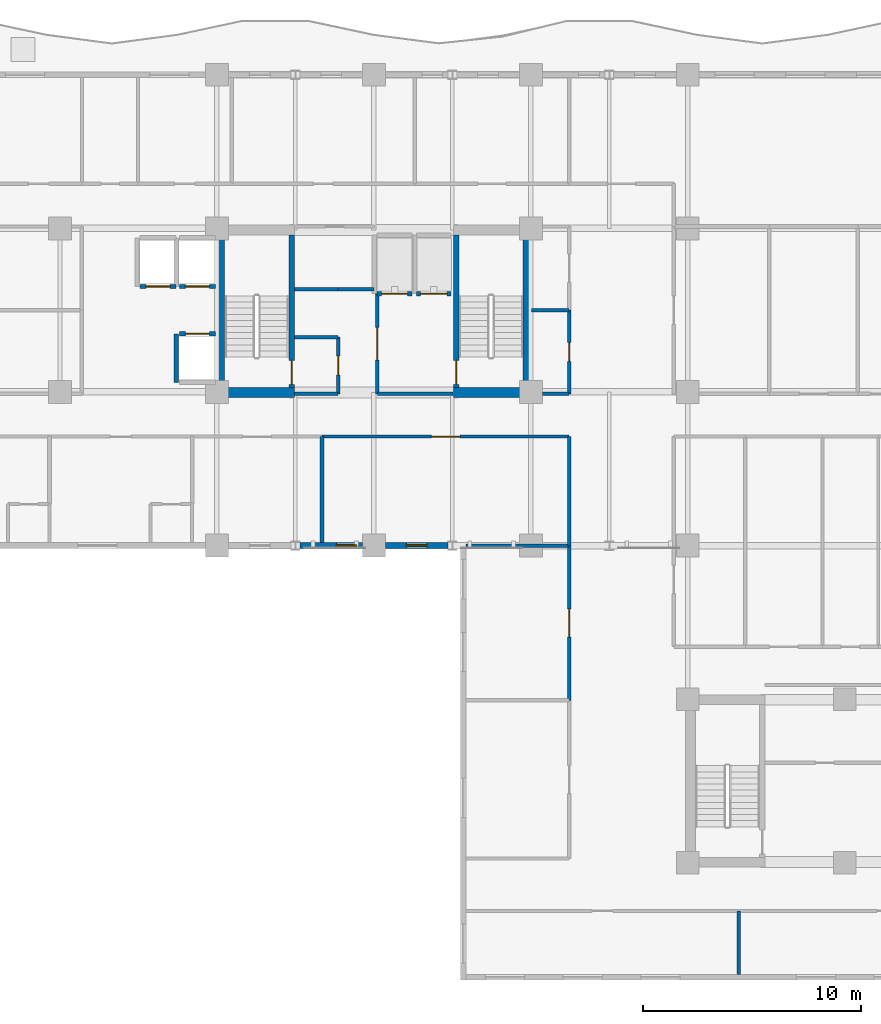
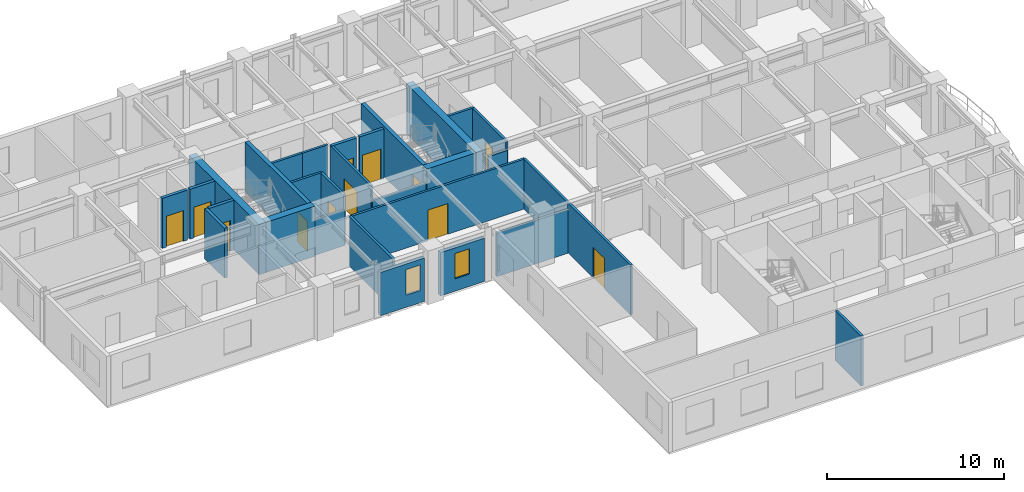
# One storey, part 5 of 14: 30 walls, 12 doors, 2 windows, 14 openings.
"""IFC4 building model written with IfcOpenShell, lengths in metres."""

from ifc_helpers import new_model, si_unit, direction, frame, frame_2d, origin, place, context, subcontext, project, spatial, rectangle, extrude, material, layer, layer_set, type_object, element, fill, save


model = new_model("IFC4")

# Units and contexts
model_context = context("Model", 3, precision=1e-05, world=origin(), true_north=direction((0.0, 1.0)))
body_context = subcontext(model_context, "Body", "Model", "MODEL_VIEW")
ifc_project = project(units=[si_unit("LENGTHUNIT", "METRE"), si_unit("AREAUNIT", "SQUARE_METRE"), si_unit("VOLUMEUNIT", "CUBIC_METRE"), si_unit("PLANEANGLEUNIT", "RADIAN"), si_unit("MASSUNIT", "GRAM", prefix="KILO")], contexts=[model_context])

# Site, building, storey
site_placement = place(None, origin())
site = spatial("IfcSite", under=ifc_project, at=site_placement, CompositionType="ELEMENT")
building_placement = place(site_placement, origin())
building = spatial("IfcBuilding", under=site, at=building_placement, Name="Kaliganga Portal Commons", CompositionType="ELEMENT")
storey_placement = place(building_placement, frame((0.0, 0.0, 151.300048828125)))
storey = spatial("IfcBuildingStorey", under=building, at=storey_placement, Name="L38", CompositionType="ELEMENT", Elevation=151.300048828125)

# Walls
ifc_material_1 = material(Name="Concrete C60/75", Category="concrete")
ifc_layer_1 = layer(ifc_material_1, 0.449951171875)
ifc_layer_set_1 = layer_set([ifc_layer_1], Name="Concrete C60/75")
wall_type_1 = type_object("IfcWallType", Name="WL-CORE-450", PredefinedType="SHEAR", material=ifc_layer_set_1)
for number, where, z_axis, x_axis, name in (
    (1, (14.52490234375, 28.39990234375, 0.0), (0.0, 0.0, 1.0), (0.0, 1.0, 0.0), "Core A West Shear Wall L38"),
    (2, (28.675048828125, 28.39990234375, 0.0), (0.0, 0.0, 1.0), (0.0, 1.0, 0.0), "Core A East Shear Wall L38"),
):
    element("IfcWall", number, at=place(storey_placement, frame(where, z_axis=z_axis, x_axis=x_axis)), inside=storey, type_object=wall_type_1, Name=name, PredefinedType="SHEAR", context=body_context, shape_type="SweptSolid", body=[
        extrude(rectangle(XDim=7.900146484375, YDim=0.449951171875, at=frame_2d((3.9501953125, 0.0))), origin(), (0.0, 0.0, 1.0), 3.4599609375),
    ])
for number, where, z_axis, x_axis, name in (
    (3, (14.75, 28.625, 0.0), (0.0, 0.0, 1.0), (1.0, 0.0, 0.0), "Core A S-West Shear Wall L38"),
    (4, (25.25, 28.625, 0.0), (0.0, 0.0, 1.0), (1.0, 0.0, 0.0), "Core A S-East Shear Wall L38"),
):
    element("IfcWall", number, at=place(storey_placement, frame(where, z_axis=z_axis, x_axis=x_axis)), inside=storey, type_object=wall_type_1, Name=name, PredefinedType="SHEAR", context=body_context, shape_type="SweptSolid", body=[
        extrude(rectangle(XDim=3.199951171875, YDim=0.449951171875, at=frame_2d((1.60009765625, 0.0))), origin(), (0.0, 0.0, 1.0), 3.4599609375),
    ])

# Wall, opening, window
ifc_material_2 = material(Name="Insulated Aluminium-Clad Spandrel Assembly", Category="aluminium")
ifc_layer_2 = layer(ifc_material_2, 0.260009765625)
ifc_layer_set_2 = layer_set([ifc_layer_2], Name="Insulated Aluminium-Clad Spandrel Assembly")
wall_type_2 = type_object("IfcWallType", Name="WL-EXT-SPAND-260", PredefinedType="STANDARD", material=ifc_layer_set_2)
wall_1_placement = place(storey_placement, frame((21.073974609375, 21.60009765625, 0.0), z_axis=(0.0, 0.0, 1.0), x_axis=(-1.0, 0.0, 0.0)))
wall_1 = element("IfcWall", 5, at=wall_1_placement, inside=storey, type_object=wall_type_2, Name="Exterior Envelope Wall L38 P1-E04-S3", PredefinedType="STANDARD", context=body_context, shape_type="SweptSolid", body=[
    extrude(rectangle(XDim=2.87109375, YDim=0.260009765625, at=frame_2d((1.435546875, 0.0))), origin(), (0.0, 0.0, 1.0), 2.989990234375),
])
opening_1_placement = place(wall_1_placement, frame((0.24853515625, 0.0, 0.85009765625)))
opening_1 = element("IfcOpeningElement", 6, at=opening_1_placement, cuts=wall_1, Name="Opening W-04", PredefinedType="OPENING", context=body_context, shape_type="SweptSolid", body=[
    extrude(rectangle(XDim=0.949951171875, YDim=1.75, at=frame_2d((0.47509765625, 0.875))), frame((0.0, 0.14013671875, 0.0), z_axis=(0.0, -1.0, 0.0), x_axis=(1.0, 0.0, 0.0)), (0.0, 0.0, 1.0), 0.280029296875),
])
ifc_material_3 = material(Name="Thermally Broken Aluminium and Low-E Double Glazing", Category="aluminium")
window_type = type_object("IfcWindowType", Name="WIN-NARROW-950", PartitioningType="SINGLE_PANEL", PredefinedType="WINDOW", material=ifc_material_3)
window_1_placement = place(opening_1_placement, origin())
window_1 = element("IfcWindow", 7, at=window_1_placement, inside=storey, type_object=window_type, Name="Facade Window L38-P1E04S3-N1", OverallHeight=1.75, OverallWidth=0.949951171875, PartitioningType="SINGLE_PANEL", PredefinedType="WINDOW", context=body_context, shape_type="SweptSolid", body=[
    extrude(rectangle(XDim=0.949951171875, YDim=1.75, at=frame_2d((0.47509765625, 0.875))), frame((0.0, 0.030029296875, 0.0), z_axis=(0.0, -1.0, 0.0), x_axis=(1.0, 0.0, 0.0)), (0.0, 0.0, 1.0), 0.06005859375),
])
fill(opening_1, window_1)

wall_2_placement = place(storey_placement, frame((24.9970703125, 21.60009765625, 0.0), z_axis=(0.0, 0.0, 1.0), x_axis=(-1.0, 0.0, 0.0)))
wall_2 = element("IfcWall", 8, at=wall_2_placement, inside=storey, type_object=wall_type_2, Name="Exterior Envelope Wall L38 P1-E04-S4", PredefinedType="STANDARD", context=body_context, shape_type="SweptSolid", body=[
    extrude(rectangle(XDim=2.87109375, YDim=0.260009765625, at=frame_2d((1.435546875, 0.0))), origin(), (0.0, 0.0, 1.0), 2.989990234375),
])
opening_2_placement = place(wall_2_placement, frame((0.96044921875, 0.0, 0.85009765625)))
opening_2 = element("IfcOpeningElement", 9, at=opening_2_placement, cuts=wall_2, Name="Opening W-04", PredefinedType="OPENING", context=body_context, shape_type="SweptSolid", body=[
    extrude(rectangle(XDim=0.949951171875, YDim=1.75, at=frame_2d((0.47509765625, 0.875))), frame((0.0, 0.14013671875, 0.0), z_axis=(0.0, -1.0, 0.0), x_axis=(1.0, 0.0, 0.0)), (0.0, 0.0, 1.0), 0.280029296875),
])
window_2_placement = place(opening_2_placement, origin())
window_2 = element("IfcWindow", 10, at=window_2_placement, inside=storey, type_object=window_type, Name="Facade Window L38-P1E04S4-00", OverallHeight=1.75, OverallWidth=0.949951171875, PartitioningType="SINGLE_PANEL", PredefinedType="WINDOW", context=body_context, shape_type="SweptSolid", body=[
    extrude(rectangle(XDim=0.949951171875, YDim=1.75, at=frame_2d((0.47509765625, 0.875))), frame((0.0, 0.030029296875, 0.0), z_axis=(0.0, -1.0, 0.0), x_axis=(1.0, 0.0, 0.0)), (0.0, 0.0, 1.0), 0.06005859375),
])
fill(opening_2, window_2)

# Wall, opening, door
ifc_material_4 = material(Name="Fire-Rated Gypsum Board on Steel Stud", Category="steel")
ifc_layer_3 = layer(ifc_material_4, 0.14990234375)
ifc_layer_set_3 = layer_set([ifc_layer_3], Name="Fire-Rated Gypsum Board on Steel Stud")
wall_type_3 = type_object("IfcWallType", Name="WL-PART-CORR-150", PredefinedType="PARTITIONING", material=ifc_layer_set_3)
wall_3_placement = place(storey_placement, frame((19.219970703125, 26.60009765625, 0.0), z_axis=(0.0, 0.0, 1.0), x_axis=(1.0, 0.0, 0.0)))
wall_3 = element("IfcWall", 11, at=wall_3_placement, inside=storey, type_object=wall_type_3, Name="Interior Partition L38-009", PredefinedType="PARTITIONING", context=body_context, shape_type="SweptSolid", body=[
    extrude(rectangle(XDim=11.340087890625, YDim=0.14990234375, at=frame_2d((5.669921875, 0.0))), origin(), (0.0, 0.0, 1.0), 3.43994140625),
])
opening_3_placement = place(wall_3_placement, frame((5.02001953125, 0.0, 0.0)))
opening_3 = element("IfcOpeningElement", 12, at=opening_3_placement, cuts=wall_3, Name="Opening RD-03", PredefinedType="OPENING", context=body_context, shape_type="SweptSolid", body=[
    extrude(rectangle(XDim=1.300048828125, YDim=2.1201171875, at=frame_2d((0.64990234375, 1.06005859375))), frame((0.0, 0.0849609375, 0.0), z_axis=(0.0, -1.0, 0.0), x_axis=(1.0, 0.0, 0.0)), (0.0, 0.0, 1.0), 0.169921875),
])
ifc_material_5 = material(Name="Glazed Timber Seminar Vision Door", Category="wood")
door_type_1 = type_object("IfcDoorType", Name="DR-STUDY-1300", OperationType="DOUBLE_DOOR_SINGLE_SWING", PredefinedType="DOOR", material=ifc_material_5)
door_1_placement = place(opening_3_placement, origin())
door_1 = element("IfcDoor", 13, at=door_1_placement, inside=storey, type_object=door_type_1, Name="Interior Door L38-AS04", OperationType="DOUBLE_DOOR_SINGLE_SWING", OverallHeight=2.1201171875, OverallWidth=1.300048828125, PredefinedType="DOOR", context=body_context, shape_type="SweptSolid", body=[
    extrude(rectangle(XDim=1.300048828125, YDim=2.1201171875, at=frame_2d((0.64990234375, 1.06005859375))), frame((0.0, 0.02490234375, 0.0), z_axis=(0.0, -1.0, 0.0), x_axis=(1.0, 0.0, 0.0)), (0.0, 0.0, 1.0), 0.050048828125),
])
fill(opening_3, door_1)

wall_4_placement = place(storey_placement, frame((30.56005859375, 14.5, 0.0), z_axis=(0.0, 0.0, 1.0), x_axis=(0.0, 1.0, 0.0)))
wall_4 = element("IfcWall", 14, at=wall_4_placement, inside=storey, type_object=wall_type_3, Name="Interior Partition L38-018", PredefinedType="PARTITIONING", context=body_context, shape_type="SweptSolid", body=[
    extrude(rectangle(XDim=7.10009765625, YDim=0.14990234375, at=frame_2d((3.550048828125, 0.0))), origin(), (0.0, 0.0, 1.0), 3.43994140625),
])
opening_4_placement = place(wall_4_placement, frame((2.89990234375, 0.0, 0.0)))
opening_4 = element("IfcOpeningElement", 15, at=opening_4_placement, cuts=wall_4, Name="Opening RD-03", PredefinedType="OPENING", context=body_context, shape_type="SweptSolid", body=[
    extrude(rectangle(XDim=1.300048828125, YDim=2.1201171875, at=frame_2d((0.64990234375, 1.06005859375))), frame((0.0, 0.0849609375, 0.0), z_axis=(0.0, -1.0, 0.0), x_axis=(1.0, 0.0, 0.0)), (0.0, 0.0, 1.0), 0.169921875),
])
door_2_placement = place(opening_4_placement, origin())
door_2 = element("IfcDoor", 16, at=door_2_placement, inside=storey, type_object=door_type_1, Name="Interior Door L38-KW02", OperationType="DOUBLE_DOOR_SINGLE_SWING", OverallHeight=2.1201171875, OverallWidth=1.300048828125, PredefinedType="DOOR", context=body_context, shape_type="SweptSolid", body=[
    extrude(rectangle(XDim=1.300048828125, YDim=2.1201171875, at=frame_2d((0.64990234375, 1.06005859375))), frame((0.0, 0.02490234375, 0.0), z_axis=(0.0, -1.0, 0.0), x_axis=(1.0, 0.0, 0.0)), (0.0, 0.0, 1.0), 0.050048828125),
])
fill(opening_4, door_2)

# Wall
wall_5_placement = place(storey_placement, frame((30.56005859375, 21.60009765625, 0.0), z_axis=(0.0, 0.0, 1.0), x_axis=(0.0, 1.0, 0.0)))
element("IfcWall", 17, at=wall_5_placement, inside=storey, type_object=wall_type_3, Name="Interior Partition L38-027", PredefinedType="PARTITIONING", context=body_context, shape_type="SweptSolid", body=[
    extrude(rectangle(XDim=5.0, YDim=0.14990234375, at=frame_2d((2.5, 0.0))), origin(), (0.0, 0.0, 1.0), 3.43994140625),
])

# Wall, opening, door
wall_6_placement = place(storey_placement, frame((30.56005859375, 28.56005859375, 0.0), z_axis=(0.0, 0.0, 1.0), x_axis=(0.0, 1.0, 0.0)))
wall_6 = element("IfcWall", 18, at=wall_6_placement, inside=storey, type_object=wall_type_3, Name="Interior Partition L38-041", PredefinedType="PARTITIONING", context=body_context, shape_type="SweptSolid", body=[
    extrude(rectangle(XDim=3.83984375, YDim=0.14990234375, at=frame_2d((1.919921875, 0.0))), origin(), (0.0, 0.0, 1.0), 3.43994140625),
])
opening_5_placement = place(wall_6_placement, frame((1.489990234375, 0.0, 0.0)))
opening_5 = element("IfcOpeningElement", 19, at=opening_5_placement, cuts=wall_6, Name="Opening WD-02", PredefinedType="OPENING", context=body_context, shape_type="SweptSolid", body=[
    extrude(rectangle(XDim=0.860107421875, YDim=2.02001953125, at=frame_2d((0.43017578125, 1.010009765625))), frame((0.0, 0.0849609375, 0.0), z_axis=(0.0, -1.0, 0.0), x_axis=(1.0, 0.0, 0.0)), (0.0, 0.0, 1.0), 0.169921875),
])
ifc_material_6 = material(Name="Fire-Rated Utility Closet Door", Category="wood")
door_type_2 = type_object("IfcDoorType", Name="DR-STORE-800", OperationType="NOTDEFINED", PredefinedType="DOOR", material=ifc_material_6)
door_3_placement = place(opening_5_placement, origin())
door_3 = element("IfcDoor", 20, at=door_3_placement, inside=storey, type_object=door_type_2, Name="Interior Door L38-CSRV_A1", OperationType="SINGLE_SWING_RIGHT", OverallHeight=2.02001953125, OverallWidth=0.860107421875, PredefinedType="DOOR", context=body_context, shape_type="SweptSolid", body=[
    extrude(rectangle(XDim=0.860107421875, YDim=2.02001953125, at=frame_2d((0.43017578125, 1.010009765625))), frame((0.0, 0.02490234375, 0.0), z_axis=(0.0, -1.0, 0.0), x_axis=(1.0, 0.0, 0.0)), (0.0, 0.0, 1.0), 0.050048828125),
])
fill(opening_5, door_3)

wall_7_placement = place(storey_placement, frame((19.9599609375, 28.56005859375, 0.0), z_axis=(0.0, 0.0, 1.0), x_axis=(0.0, 1.0, 0.0)))
wall_7 = element("IfcWall", 21, at=wall_7_placement, inside=storey, type_object=wall_type_3, Name="Interior Partition L38-049", PredefinedType="PARTITIONING", context=body_context, shape_type="SweptSolid", body=[
    extrude(rectangle(XDim=2.599853515625, YDim=0.14990234375, at=frame_2d((1.2998046875, 0.0))), origin(), (0.0, 0.0, 1.0), 3.43994140625),
])
opening_6_placement = place(wall_7_placement, frame((0.8701171875, 0.0, 0.0)))
opening_6 = element("IfcOpeningElement", 22, at=opening_6_placement, cuts=wall_7, Name="Opening WD-02", PredefinedType="OPENING", context=body_context, shape_type="SweptSolid", body=[
    extrude(rectangle(XDim=0.860107421875, YDim=2.02001953125, at=frame_2d((0.43017578125, 1.010009765625))), frame((0.0, 0.0849609375, 0.0), z_axis=(0.0, -1.0, 0.0), x_axis=(1.0, 0.0, 0.0)), (0.0, 0.0, 1.0), 0.169921875),
])
door_4_placement = place(opening_6_placement, origin())
door_4 = element("IfcDoor", 23, at=door_4_placement, inside=storey, type_object=door_type_2, Name="Interior Door L38-CIN_A1", OperationType="SINGLE_SWING_LEFT", OverallHeight=2.02001953125, OverallWidth=0.860107421875, PredefinedType="DOOR", context=body_context, shape_type="SweptSolid", body=[
    extrude(rectangle(XDim=0.860107421875, YDim=2.02001953125, at=frame_2d((0.43017578125, 1.010009765625))), frame((0.0, 0.02490234375, 0.0), z_axis=(0.0, -1.0, 0.0), x_axis=(1.0, 0.0, 0.0)), (0.0, 0.0, 1.0), 0.050048828125),
])
fill(opening_6, door_4)

# Walls
wall_8_placement = place(storey_placement, frame((17.9599609375, 28.56005859375, 0.0), z_axis=(0.0, 0.0, 1.0), x_axis=(1.0, 0.0, 0.0)))
element("IfcWall", 24, at=wall_8_placement, inside=storey, type_object=wall_type_3, Name="Interior Partition L38-054", PredefinedType="PARTITIONING", context=body_context, shape_type="SweptSolid", body=[
    extrude(rectangle(XDim=2.0, YDim=0.14990234375, at=frame_2d((1.0, 0.0))), origin(), (0.0, 0.0, 1.0), 2.43994140625),
])
for number, where, z_axis, x_axis, name in (
    (25, (17.9599609375, 31.159912109375, 0.0), (0.0, 0.0, 1.0), (1.0, 0.0, 0.0), "Interior Partition L38-055"),
    (26, (17.9599609375, 33.360107421875, 0.0), (0.0, 0.0, 1.0), (1.0, 0.0, 0.0), "Interior Partition L38-056"),
):
    element("IfcWall", number, at=place(storey_placement, frame(where, z_axis=z_axis, x_axis=x_axis)), inside=storey, type_object=wall_type_3, Name=name, PredefinedType="PARTITIONING", context=body_context, shape_type="SweptSolid", body=[
        extrude(rectangle(XDim=2.0, YDim=0.14990234375, at=frame_2d((1.0, 0.0))), origin(), (0.0, 0.0, 1.0), 3.43994140625),
    ])
wall_9_placement = place(storey_placement, frame((29.324951171875, 28.56005859375, 0.0), z_axis=(0.0, 0.0, 1.0), x_axis=(1.0, 0.0, 0.0)))
element("IfcWall", 27, at=wall_9_placement, inside=storey, type_object=wall_type_3, Name="Interior Partition L38-058", PredefinedType="PARTITIONING", context=body_context, shape_type="SweptSolid", body=[
    extrude(rectangle(XDim=1.235107421875, YDim=0.14990234375, at=frame_2d((0.61767578125, 0.0))), origin(), (0.0, 0.0, 1.0), 2.83984375),
])
wall_10_placement = place(storey_placement, frame((19.9599609375, 33.360107421875, 0.0), z_axis=(0.0, 0.0, 1.0), x_axis=(1.0, 0.0, 0.0)))
element("IfcWall", 28, at=wall_10_placement, inside=storey, type_object=wall_type_3, Name="Interior Partition L38-060", PredefinedType="PARTITIONING", context=body_context, shape_type="SweptSolid", body=[
    extrude(rectangle(XDim=1.650146484375, YDim=0.14990234375, at=frame_2d((0.8251953125, 0.0))), origin(), (0.0, 0.0, 1.0), 3.43994140625),
])

# Wall, opening, door
wall_11_placement = place(storey_placement, frame((21.760009765625, 28.56005859375, 0.0), z_axis=(0.0, 0.0, 1.0), x_axis=(0.0, 1.0, 0.0)))
wall_11 = element("IfcWall", 29, at=wall_11_placement, inside=storey, type_object=wall_type_3, Name="Interior Partition L38-079", PredefinedType="PARTITIONING", context=body_context, shape_type="SweptSolid", body=[
    extrude(rectangle(XDim=4.599853515625, YDim=0.14990234375, at=frame_2d((2.2998046875, 0.0))), origin(), (0.0, 0.0, 1.0), 3.43994140625),
])
opening_7_placement = place(wall_11_placement, frame((1.550048828125, 0.0, 0.0)))
opening_7 = element("IfcOpeningElement", 30, at=opening_7_placement, cuts=wall_11, Name="Opening FD-01", PredefinedType="OPENING", context=body_context, shape_type="SweptSolid", body=[
    extrude(rectangle(XDim=1.5, YDim=2.10009765625, at=frame_2d((0.75, 1.050048828125))), frame((0.0, 0.0849609375, 0.0), z_axis=(0.0, -1.0, 0.0), x_axis=(1.0, 0.0, 0.0)), (0.0, 0.0, 1.0), 0.169921875),
])
ifc_material_7 = material(Name="Fire-Rated Hardwood and Georgian-Wired Vision Panel", Category="wood")
door_type_3 = type_object("IfcDoorType", Name="DR-LOBBY-1500", OperationType="DOUBLE_DOOR_SINGLE_SWING", PredefinedType="DOOR", material=ifc_material_7)
door_5_placement = place(opening_7_placement, origin())
door_5 = element("IfcDoor", 31, at=door_5_placement, inside=storey, type_object=door_type_3, Name="Interior Door L38-FFLOB_A", OperationType="DOUBLE_DOOR_SINGLE_SWING", OverallHeight=2.10009765625, OverallWidth=1.5, PredefinedType="DOOR", context=body_context, shape_type="SweptSolid", body=[
    extrude(rectangle(XDim=1.5, YDim=2.10009765625, at=frame_2d((0.75, 1.050048828125))), frame((0.0, 0.02490234375, 0.0), z_axis=(0.0, -1.0, 0.0), x_axis=(1.0, 0.0, 0.0)), (0.0, 0.0, 1.0), 0.050048828125),
])
fill(opening_7, door_5)

# Walls
wall_12_placement = place(storey_placement, frame((21.760009765625, 28.56005859375, 0.0), z_axis=(0.0, 0.0, 1.0), x_axis=(1.0, 0.0, 0.0)))
element("IfcWall", 32, at=wall_12_placement, inside=storey, type_object=wall_type_3, Name="Interior Partition L38-083", PredefinedType="PARTITIONING", context=body_context, shape_type="SweptSolid", body=[
    extrude(rectangle(XDim=3.47998046875, YDim=0.14990234375, at=frame_2d((1.739990234375, 0.0))), origin(), (0.0, 0.0, 1.0), 2.43994140625),
])
ifc_material_8 = material(Name="Twin-Stud Acoustic Gypsum Partition", Category="gypsum")
ifc_layer_4 = layer(ifc_material_8, 0.1650390625)
ifc_layer_set_4 = layer_set([ifc_layer_4], Name="Twin-Stud Acoustic Gypsum Partition")
wall_type_4 = type_object("IfcWallType", Name="WL-PART-UNIT-165", PredefinedType="PARTITIONING", material=ifc_layer_set_4)
wall_13_placement = place(storey_placement, frame((19.219970703125, 21.73193359375, 0.0), z_axis=(0.0, 0.0, 1.0), x_axis=(0.0, 1.0, 0.0)))
element("IfcWall", 33, at=wall_13_placement, inside=storey, type_object=wall_type_4, Name="Interior Partition L38-074", PredefinedType="PARTITIONING", context=body_context, shape_type="SweptSolid", body=[
    extrude(rectangle(XDim=4.8681640625, YDim=0.1650390625, at=frame_2d((2.43408203125, 0.0))), origin(), (0.0, 0.0, 1.0), 3.43994140625),
])
wall_14_placement = place(storey_placement, frame((25.83203125, 21.60009765625, 0.0), z_axis=(0.0, 0.0, 1.0), x_axis=(1.0, 0.0, 0.0)))
element("IfcWall", 34, at=wall_14_placement, inside=storey, type_object=wall_type_4, Name="Interior Partition L38-078", PredefinedType="PARTITIONING", context=body_context, shape_type="SweptSolid", body=[
    extrude(rectangle(XDim=4.72802734375, YDim=0.1650390625, at=frame_2d((2.364013671875, 0.0))), origin(), (0.0, 0.0, 1.0), 2.989990234375),
])
wall_15_placement = place(storey_placement, frame((38.340087890625, 1.931884765625, 0.0), z_axis=(0.0, 0.0, 1.0), x_axis=(0.0, 1.0, 0.0)))
element("IfcWall", 35, at=wall_15_placement, inside=storey, type_object=wall_type_4, Name="Interior Partition L38-086", PredefinedType="PARTITIONING", context=body_context, shape_type="SweptSolid", body=[
    extrude(rectangle(XDim=2.908203125, YDim=0.1650390625, at=frame_2d((1.4541015625, 0.0))), origin(), (0.0, 0.0, 1.0), 3.43994140625),
])
wall_16_placement = place(storey_placement, frame((28.840087890625, 32.39990234375, 0.0), z_axis=(0.0, 0.0, 1.0), x_axis=(1.0, 0.0, 0.0)))
element("IfcWall", 36, at=wall_16_placement, inside=storey, type_object=wall_type_4, Name="Interior Partition L38-088", PredefinedType="PARTITIONING", context=body_context, shape_type="SweptSolid", body=[
    extrude(rectangle(XDim=1.719970703125, YDim=0.1650390625, at=frame_2d((0.85986328125, 0.0))), origin(), (0.0, 0.0, 1.0), 3.43994140625),
])

# Wall, opening, door
ifc_material_9 = material(Name="Fire-Rated Shaftwall Masonry Assembly", Category="masonry")
ifc_layer_5 = layer(ifc_material_9, 0.199951171875)
ifc_layer_set_5 = layer_set([ifc_layer_5], Name="Fire-Rated Shaftwall Masonry Assembly")
wall_type_5 = type_object("IfcWallType", Name="WL-SHAFT-200", PredefinedType="PARTITIONING", material=ifc_layer_set_5)
wall_17_placement = place(storey_placement, frame((12.675048828125, 33.485107421875, 0.0), z_axis=(0.0, 0.0, 1.0), x_axis=(1.0, 0.0, 0.0)))
wall_17 = element("IfcWall", 37, at=wall_17_placement, inside=storey, type_object=wall_type_5, Name="Lift PL-A3 Hoistway Shaft Wall L38-S", PredefinedType="PARTITIONING", context=body_context, shape_type="SweptSolid", body=[
    extrude(rectangle(XDim=1.64990234375, YDim=0.199951171875, at=frame_2d((0.824951171875, 0.0))), origin(), (0.0, 0.0, 1.0), 3.43994140625),
])
opening_8_placement = place(wall_17_placement, frame((0.27490234375, 0.0, 0.0)))
opening_8 = element("IfcOpeningElement", 38, at=opening_8_placement, cuts=wall_17, Name="Opening LD-01", PredefinedType="OPENING", context=body_context, shape_type="SweptSolid", body=[
    extrude(rectangle(XDim=1.10009765625, YDim=2.1201171875, at=frame_2d((0.550048828125, 1.06005859375))), frame((0.0, 0.10986328125, 0.0), z_axis=(0.0, -1.0, 0.0), x_axis=(1.0, 0.0, 0.0)), (0.0, 0.0, 1.0), 0.219970703125),
])
ifc_material_10 = material(Name="Brushed Stainless Steel 316 Lift Landing Door", Category="steel")
door_type_4 = type_object("IfcDoorType", Name="DR-LIFT-1100", OperationType="SLIDING_TO_LEFT", PredefinedType="DOOR", material=ifc_material_10)
door_6_placement = place(opening_8_placement, origin())
door_6 = element("IfcDoor", 39, at=door_6_placement, inside=storey, type_object=door_type_4, Name="Lift PL-A3 Sliding Landing Door L38", OperationType="SLIDING_TO_LEFT", OverallHeight=2.1201171875, OverallWidth=1.10009765625, PredefinedType="DOOR", context=body_context, shape_type="SweptSolid", body=[
    extrude(rectangle(XDim=1.10009765625, YDim=2.1201171875, at=frame_2d((0.550048828125, 1.06005859375))), frame((0.0, 0.02490234375, 0.0), z_axis=(0.0, -1.0, 0.0), x_axis=(1.0, 0.0, 0.0)), (0.0, 0.0, 1.0), 0.050048828125),
])
fill(opening_8, door_6)

wall_18_placement = place(storey_placement, frame((12.675048828125, 31.31494140625, 0.0), z_axis=(0.0, 0.0, 1.0), x_axis=(1.0, 0.0, 0.0)))
wall_18 = element("IfcWall", 40, at=wall_18_placement, inside=storey, type_object=wall_type_5, Name="Lift PL-A4 Hoistway Shaft Wall L38-N", PredefinedType="PARTITIONING", context=body_context, shape_type="SweptSolid", body=[
    extrude(rectangle(XDim=1.64990234375, YDim=0.199951171875, at=frame_2d((0.824951171875, 0.0))), origin(), (0.0, 0.0, 1.0), 3.43994140625),
])
opening_9_placement = place(wall_18_placement, frame((0.27490234375, 0.0, 0.0)))
opening_9 = element("IfcOpeningElement", 41, at=opening_9_placement, cuts=wall_18, Name="Opening LD-01", PredefinedType="OPENING", context=body_context, shape_type="SweptSolid", body=[
    extrude(rectangle(XDim=1.10009765625, YDim=2.1201171875, at=frame_2d((0.550048828125, 1.06005859375))), frame((0.0, 0.10986328125, 0.0), z_axis=(0.0, -1.0, 0.0), x_axis=(1.0, 0.0, 0.0)), (0.0, 0.0, 1.0), 0.219970703125),
])
door_7_placement = place(opening_9_placement, origin())
door_7 = element("IfcDoor", 42, at=door_7_placement, inside=storey, type_object=door_type_4, Name="Lift PL-A4 Sliding Landing Door L38", OperationType="SLIDING_TO_LEFT", OverallHeight=2.1201171875, OverallWidth=1.10009765625, PredefinedType="DOOR", context=body_context, shape_type="SweptSolid", body=[
    extrude(rectangle(XDim=1.10009765625, YDim=2.1201171875, at=frame_2d((0.550048828125, 1.06005859375))), frame((0.0, 0.02490234375, 0.0), z_axis=(0.0, -1.0, 0.0), x_axis=(1.0, 0.0, 0.0)), (0.0, 0.0, 1.0), 0.050048828125),
])
fill(opening_9, door_7)

# Wall
wall_19_placement = place(storey_placement, frame((12.534912109375, 29.0849609375, 0.0), z_axis=(0.0, 0.0, 1.0), x_axis=(0.0, 1.0, 0.0)))
element("IfcWall", 43, at=wall_19_placement, inside=storey, type_object=wall_type_5, Name="Lift PL-A4 Hoistway Shaft Wall L38-W", PredefinedType="PARTITIONING", context=body_context, shape_type="SweptSolid", body=[
    extrude(rectangle(XDim=2.22998046875, YDim=0.199951171875, at=frame_2d((1.114990234375, 0.0))), origin(), (0.0, 0.0, 1.0), 3.43994140625),
])

# Wall, opening, door
wall_20_placement = place(storey_placement, frame((10.875, 33.485107421875, 0.0), z_axis=(0.0, 0.0, 1.0), x_axis=(1.0, 0.0, 0.0)))
wall_20 = element("IfcWall", 44, at=wall_20_placement, inside=storey, type_object=wall_type_5, Name="Lift PL-OBS Hoistway Shaft Wall L38-S", PredefinedType="PARTITIONING", context=body_context, shape_type="SweptSolid", body=[
    extrude(rectangle(XDim=1.64990234375, YDim=0.199951171875, at=frame_2d((0.824951171875, 0.0))), origin(), (0.0, 0.0, 1.0), 3.43994140625),
])
opening_10_placement = place(wall_20_placement, frame((0.27490234375, 0.0, 0.0)))
opening_10 = element("IfcOpeningElement", 45, at=opening_10_placement, cuts=wall_20, Name="Opening LD-01", PredefinedType="OPENING", context=body_context, shape_type="SweptSolid", body=[
    extrude(rectangle(XDim=1.10009765625, YDim=2.1201171875, at=frame_2d((0.550048828125, 1.06005859375))), frame((0.0, 0.10986328125, 0.0), z_axis=(0.0, -1.0, 0.0), x_axis=(1.0, 0.0, 0.0)), (0.0, 0.0, 1.0), 0.219970703125),
])
door_8_placement = place(opening_10_placement, origin())
door_8 = element("IfcDoor", 46, at=door_8_placement, inside=storey, type_object=door_type_4, Name="Lift PL-OBS Sliding Landing Door L38", OperationType="SLIDING_TO_LEFT", OverallHeight=2.1201171875, OverallWidth=1.10009765625, PredefinedType="DOOR", context=body_context, shape_type="SweptSolid", body=[
    extrude(rectangle(XDim=1.10009765625, YDim=2.1201171875, at=frame_2d((0.550048828125, 1.06005859375))), frame((0.0, 0.02490234375, 0.0), z_axis=(0.0, -1.0, 0.0), x_axis=(1.0, 0.0, 0.0)), (0.0, 0.0, 1.0), 0.050048828125),
])
fill(opening_10, door_8)

wall_21_placement = place(storey_placement, frame((21.75, 33.159912109375, 0.0), z_axis=(0.0, 0.0, 1.0), x_axis=(1.0, 0.0, 0.0)))
wall_21 = element("IfcWall", 47, at=wall_21_placement, inside=storey, type_object=wall_type_5, Name="Lift FFL-1 Hoistway Shaft Wall L38-S", PredefinedType="PARTITIONING", context=body_context, shape_type="SweptSolid", body=[
    extrude(rectangle(XDim=1.60009765625, YDim=0.199951171875, at=frame_2d((0.800048828125, 0.0))), origin(), (0.0, 0.0, 1.0), 3.43994140625),
])
opening_11_placement = place(wall_21_placement, frame((0.199951171875, 0.0, 0.0)))
opening_11 = element("IfcOpeningElement", 48, at=opening_11_placement, cuts=wall_21, Name="Opening LD-02", PredefinedType="OPENING", context=body_context, shape_type="SweptSolid", body=[
    extrude(rectangle(XDim=1.199951171875, YDim=2.1201171875, at=frame_2d((0.60009765625, 1.06005859375))), frame((0.0, 0.10986328125, 0.0), z_axis=(0.0, -1.0, 0.0), x_axis=(1.0, 0.0, 0.0)), (0.0, 0.0, 1.0), 0.219970703125),
])
ifc_material_11 = material(Name="Brushed Stainless Steel 316 Stretcher Lift Landing Door", Category="steel")
door_type_5 = type_object("IfcDoorType", Name="DR-LIFT-1200", OperationType="SLIDING_TO_RIGHT", PredefinedType="DOOR", material=ifc_material_11)
door_9_placement = place(opening_11_placement, origin())
door_9 = element("IfcDoor", 49, at=door_9_placement, inside=storey, type_object=door_type_5, Name="Lift FFL-1 Sliding Landing Door L38", OperationType="SLIDING_TO_RIGHT", OverallHeight=2.1201171875, OverallWidth=1.199951171875, PredefinedType="DOOR", context=body_context, shape_type="SweptSolid", body=[
    extrude(rectangle(XDim=1.199951171875, YDim=2.1201171875, at=frame_2d((0.60009765625, 1.06005859375))), frame((0.0, 0.02490234375, 0.0), z_axis=(0.0, -1.0, 0.0), x_axis=(1.0, 0.0, 0.0)), (0.0, 0.0, 1.0), 0.050048828125),
])
fill(opening_11, door_9)

wall_22_placement = place(storey_placement, frame((23.550048828125, 33.159912109375, 0.0), z_axis=(0.0, 0.0, 1.0), x_axis=(1.0, 0.0, 0.0)))
wall_22 = element("IfcWall", 50, at=wall_22_placement, inside=storey, type_object=wall_type_5, Name="Lift FFL-2 Hoistway Shaft Wall L38-S", PredefinedType="PARTITIONING", context=body_context, shape_type="SweptSolid", body=[
    extrude(rectangle(XDim=1.599853515625, YDim=0.199951171875, at=frame_2d((0.7998046875, 0.0))), origin(), (0.0, 0.0, 1.0), 3.43994140625),
])
opening_12_placement = place(wall_22_placement, frame((0.199951171875, 0.0, 0.0)))
opening_12 = element("IfcOpeningElement", 51, at=opening_12_placement, cuts=wall_22, Name="Opening LD-02", PredefinedType="OPENING", context=body_context, shape_type="SweptSolid", body=[
    extrude(rectangle(XDim=1.199951171875, YDim=2.1201171875, at=frame_2d((0.60009765625, 1.06005859375))), frame((0.0, 0.10986328125, 0.0), z_axis=(0.0, -1.0, 0.0), x_axis=(1.0, 0.0, 0.0)), (0.0, 0.0, 1.0), 0.219970703125),
])
door_10_placement = place(opening_12_placement, origin())
door_10 = element("IfcDoor", 52, at=door_10_placement, inside=storey, type_object=door_type_5, Name="Lift FFL-2 Sliding Landing Door L38", OperationType="SLIDING_TO_RIGHT", OverallHeight=2.1201171875, OverallWidth=1.199951171875, PredefinedType="DOOR", context=body_context, shape_type="SweptSolid", body=[
    extrude(rectangle(XDim=1.199951171875, YDim=2.1201171875, at=frame_2d((0.60009765625, 1.06005859375))), frame((0.0, 0.02490234375, 0.0), z_axis=(0.0, -1.0, 0.0), x_axis=(1.0, 0.0, 0.0)), (0.0, 0.0, 1.0), 0.050048828125),
])
fill(opening_12, door_10)

ifc_material_12 = material(Name="Concrete C50/60", Category="concrete")
ifc_layer_6 = layer(ifc_material_12, 0.25)
ifc_layer_set_6 = layer_set([ifc_layer_6], Name="Concrete C50/60")
wall_type_6 = type_object("IfcWallType", Name="WL-STAIR-250", PredefinedType="SHEAR", material=ifc_layer_set_6)
wall_23_placement = place(storey_placement, frame((17.824951171875, 28.85009765625, 0.0), z_axis=(0.0, 0.0, 1.0), x_axis=(0.0, 1.0, 0.0)))
wall_23 = element("IfcWall", 53, at=wall_23_placement, inside=storey, type_object=wall_type_6, Name="Stair A1 Enclosure Shear Wall L38", PredefinedType="SHEAR", context=body_context, shape_type="SweptSolid", body=[
    extrude(rectangle(XDim=7.0, YDim=0.25, at=frame_2d((3.5, 0.0))), origin(), (0.0, 0.0, 1.0), 3.4599609375),
])
opening_13_placement = place(wall_23_placement, frame((0.14990234375, 0.0, 0.0)))
opening_13 = element("IfcOpeningElement", 54, at=opening_13_placement, cuts=wall_23, Name="Opening SD-01", PredefinedType="OPENING", context=body_context, shape_type="SweptSolid", body=[
    extrude(rectangle(XDim=1.10009765625, YDim=2.080078125, at=frame_2d((0.550048828125, 1.0400390625))), frame((0.0, 0.135009765625, 0.0), z_axis=(0.0, -1.0, 0.0), x_axis=(1.0, 0.0, 0.0)), (0.0, 0.0, 1.0), 0.27001953125),
])
ifc_material_13 = material(Name="Galvanized Steel Fire Door Leaf and Frame", Category="steel")
door_type_6 = type_object("IfcDoorType", Name="DR-STAIR-1100", OperationType="NOTDEFINED", PredefinedType="DOOR", material=ifc_material_13)
door_11_placement = place(opening_13_placement, origin())
door_11 = element("IfcDoor", 55, at=door_11_placement, inside=storey, type_object=door_type_6, Name="Protected Stair ST-A1 Fire Door L38", OperationType="SINGLE_SWING_RIGHT", OverallHeight=2.080078125, OverallWidth=1.10009765625, PredefinedType="DOOR", context=body_context, shape_type="SweptSolid", body=[
    extrude(rectangle(XDim=1.10009765625, YDim=2.080078125, at=frame_2d((0.550048828125, 1.0400390625))), frame((0.0, 0.02490234375, 0.0), z_axis=(0.0, -1.0, 0.0), x_axis=(1.0, 0.0, 0.0)), (0.0, 0.0, 1.0), 0.050048828125),
])
fill(opening_13, door_11)

wall_24_placement = place(storey_placement, frame((25.375, 28.85009765625, 0.0), z_axis=(0.0, 0.0, 1.0), x_axis=(0.0, 1.0, 0.0)))
wall_24 = element("IfcWall", 56, at=wall_24_placement, inside=storey, type_object=wall_type_6, Name="Stair A2 Enclosure Shear Wall L38", PredefinedType="SHEAR", context=body_context, shape_type="SweptSolid", body=[
    extrude(rectangle(XDim=7.0, YDim=0.25, at=frame_2d((3.5, 0.0))), origin(), (0.0, 0.0, 1.0), 3.4599609375),
])
opening_14_placement = place(wall_24_placement, frame((0.14990234375, 0.0, 0.0)))
opening_14 = element("IfcOpeningElement", 57, at=opening_14_placement, cuts=wall_24, Name="Opening SD-01", PredefinedType="OPENING", context=body_context, shape_type="SweptSolid", body=[
    extrude(rectangle(XDim=1.10009765625, YDim=2.080078125, at=frame_2d((0.550048828125, 1.0400390625))), frame((0.0, 0.135009765625, 0.0), z_axis=(0.0, -1.0, 0.0), x_axis=(1.0, 0.0, 0.0)), (0.0, 0.0, 1.0), 0.27001953125),
])
door_12_placement = place(opening_14_placement, origin())
door_12 = element("IfcDoor", 58, at=door_12_placement, inside=storey, type_object=door_type_6, Name="Protected Stair ST-A2 Fire Door L38", OperationType="SINGLE_SWING_LEFT", OverallHeight=2.080078125, OverallWidth=1.10009765625, PredefinedType="DOOR", context=body_context, shape_type="SweptSolid", body=[
    extrude(rectangle(XDim=1.10009765625, YDim=2.080078125, at=frame_2d((0.550048828125, 1.0400390625))), frame((0.0, 0.02490234375, 0.0), z_axis=(0.0, -1.0, 0.0), x_axis=(1.0, 0.0, 0.0)), (0.0, 0.0, 1.0), 0.050048828125),
])
fill(opening_14, door_12)

save(model, "model.ifc")
